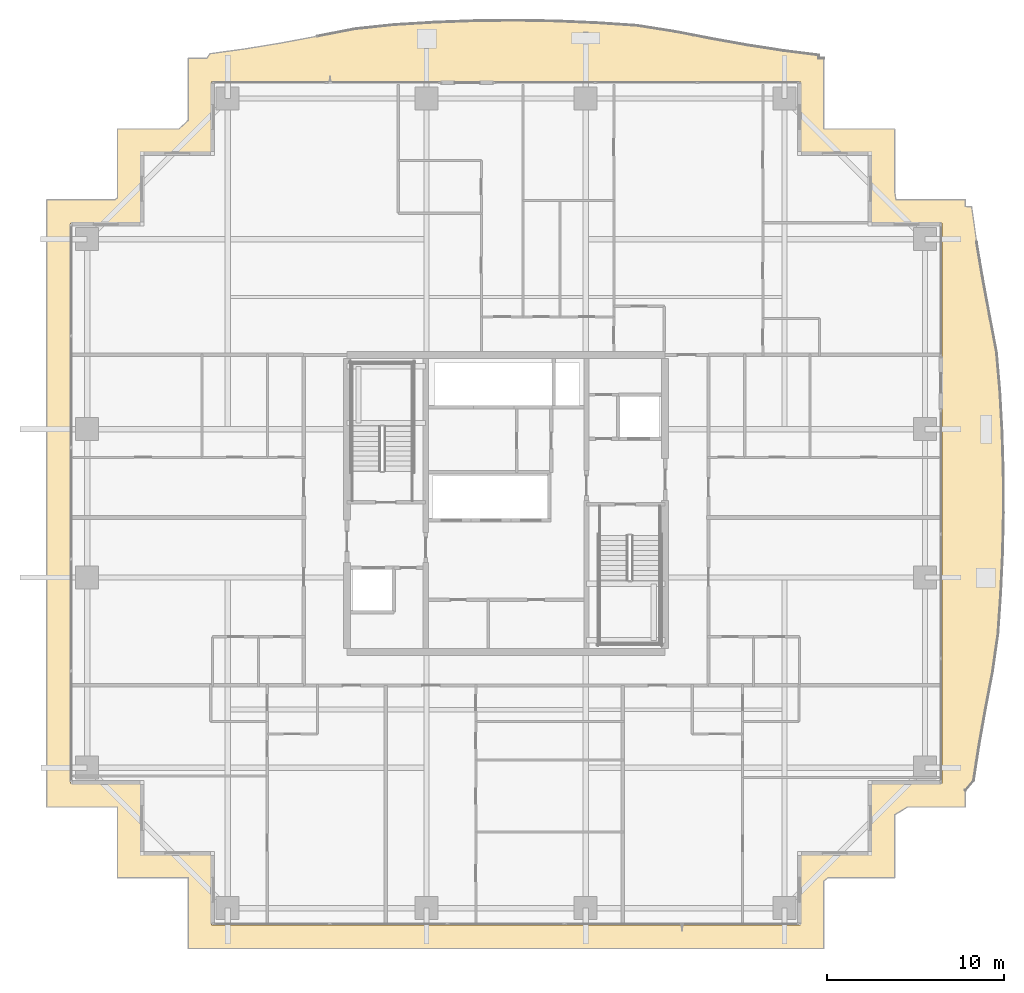
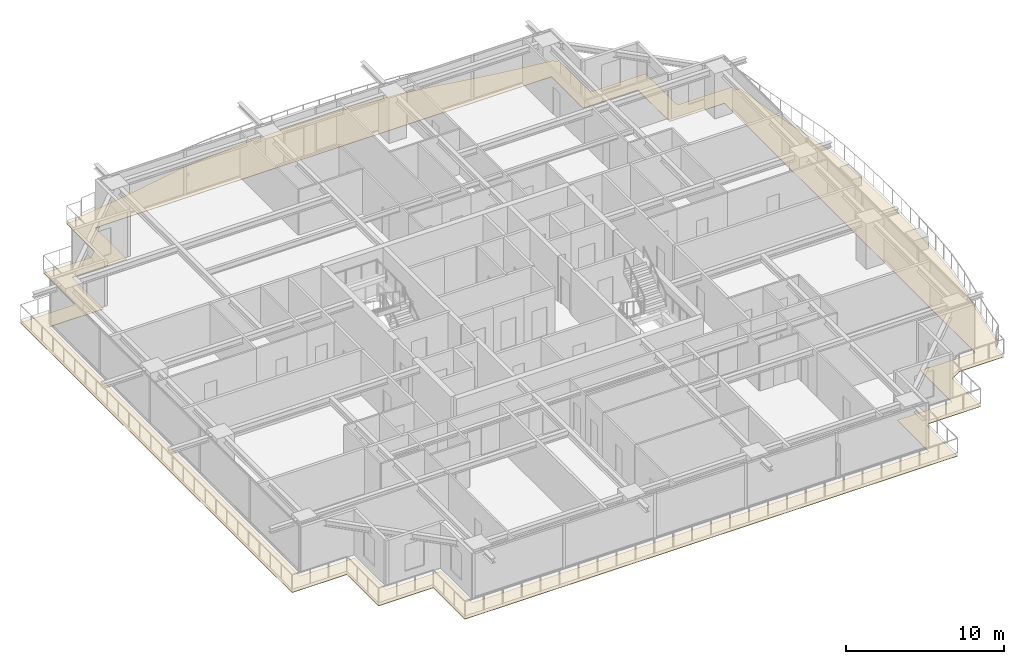
# One storey, part 32 of 34: 1 covering.
"""IFC4 building model written with IfcOpenShell, lengths in metres."""

from ifc_helpers import new_model, si_unit, direction, frame, origin, place, context, subcontext, project, spatial, polyline, outline, extrude, material, layer, layer_set, type_object, element, save


model = new_model("IFC4")

# Units and contexts
model_context = context("Model", 3, precision=1e-05, world=origin(), true_north=direction((0.0, 1.0)))
body_context = subcontext(model_context, "Body", "Model", "MODEL_VIEW")
ifc_project = project(units=[si_unit("LENGTHUNIT", "METRE"), si_unit("AREAUNIT", "SQUARE_METRE"), si_unit("VOLUMEUNIT", "CUBIC_METRE"), si_unit("PLANEANGLEUNIT", "RADIAN"), si_unit("MASSUNIT", "GRAM", prefix="KILO")], contexts=[model_context])

# Site, building, storey
site_placement = place(None, origin())
site = spatial("IfcSite", under=ifc_project, at=site_placement, CompositionType="ELEMENT")
building_placement = place(site_placement, origin())
building = spatial("IfcBuilding", under=site, at=building_placement, Name="Serunith Strait Residences", CompositionType="ELEMENT")
storey_placement = place(building_placement, frame((0.0, 0.0, 180.14990234375)))
storey = spatial("IfcBuildingStorey", under=building, at=storey_placement, Name="L45", CompositionType="ELEMENT", Elevation=180.14990234375)

# Covering
ifc_material = material(Name="Golden Teak Exterior Timber Boarding", Category="wood")
ifc_layer = layer(ifc_material, 0.034912109375, Name="Golden Teak Exterior Timber Boarding")
ifc_layer_set = layer_set([ifc_layer], Name="Golden Teak Exterior Timber Boarding")
covering_type = type_object("IfcCoveringType", Name="COV-TEAK-SOFFIT", PredefinedType="CEILING", material=ifc_layer_set)
covering_placement = place(storey_placement, frame((0.0, 0.0, -0.324951171875)))
element("IfcCovering", 1, at=covering_placement, inside=storey, type_object=covering_type, Name="L45 Golden-Teak Balcony Soffit Lining", PredefinedType="CEILING", context=body_context, shape_type="SweptSolid", body=[
    extrude(outline(polyline([(10.419921875, 46.3798828125), (13.90234375, 46.3798828125), (14.419921875, 46.875732421875), (14.419921875, 50.3798828125), (15.46826171875, 50.3798828125), (15.654296875, 50.63916015625), (17.6533203125, 50.912353515625), (19.669677734375, 51.244384765625), (21.7216796875, 51.627685546875), (23.8291015625, 52.0400390625), (26.048583984375, 52.27392578125), (28.322021484375, 52.412353515625), (30.622314453125, 52.498046875), (32.935791015625, 52.522216796875), (35.24658203125, 52.482421875), (37.53955078125, 52.3828125), (39.802001953125, 52.23291015625), (41.968994140625, 51.888427734375), (44.05126953125, 51.484375), (46.085693359375, 51.119384765625), (48.092529296875, 50.810302734375), (50.08740234375, 50.55908203125), (50.0859375, 50.3798828125), (50.3798828125, 50.3798828125), (50.3798828125, 46.3798828125), (54.3798828125, 46.3798828125), (54.3798828125, 42.892333984375), (54.456787109375, 42.3798828125), (58.3798828125, 42.3798828125), (58.3798828125, 41.99365234375), (58.737548828125, 41.97314453125), (59.02197265625, 39.971923828125), (59.361328125, 37.949951171875), (59.745361328125, 35.889892578125), (60.1494140625, 33.77294921875), (60.34375, 31.542236328125), (60.466796875, 29.269287109375), (60.53662109375, 26.972900390625), (60.54638671875, 24.666015625), (60.4951171875, 22.36376953125), (60.387939453125, 20.080322265625), (60.23486328125, 17.826416015625), (59.921630859375, 15.6533203125), (59.5234375, 13.56787109375), (59.1611328125, 11.529296875), (58.850830078125, 9.51953125), (58.3798828125, 8.9677734375), (58.3798828125, 8.02001953125), (55.118896484375, 8.02001953125), (54.3798828125, 7.578125), (54.3798828125, 4.02001953125), (50.601806640625, 4.02001953125), (50.3798828125, 3.8408203125), (50.3798828125, 0.02001953125), (14.419921875, 0.02001953125), (14.419921875, 4.02001953125), (10.419921875, 4.02001953125), (10.419921875, 8.02001953125), (6.419921875, 8.02001953125), (6.419921875, 42.3798828125), (10.284912109375, 42.3798828125), (10.419921875, 42.47802734375), (10.419921875, 46.3798828125)]), holes=[polyline([(49.054931640625, 1.344970703125), (49.054931640625, 5.344970703125), (53.054931640625, 5.344970703125), (53.054931640625, 9.344970703125), (57.054931640625, 9.344970703125), (57.054931640625, 41.054931640625), (53.054931640625, 41.054931640625), (53.054931640625, 45.054931640625), (49.054931640625, 45.054931640625), (49.054931640625, 49.054931640625), (15.7451171875, 49.054931640625), (15.7451171875, 45.054931640625), (11.7451171875, 45.054931640625), (11.7451171875, 41.054931640625), (7.7451171875, 41.054931640625), (7.7451171875, 9.344970703125), (11.7451171875, 9.344970703125), (11.7451171875, 5.344970703125), (15.7451171875, 5.344970703125), (15.7451171875, 1.344970703125), (49.054931640625, 1.344970703125)])]), origin(), (0.0, 0.0, 1.0), 0.03515625),
])

save(model, "model.ifc")
